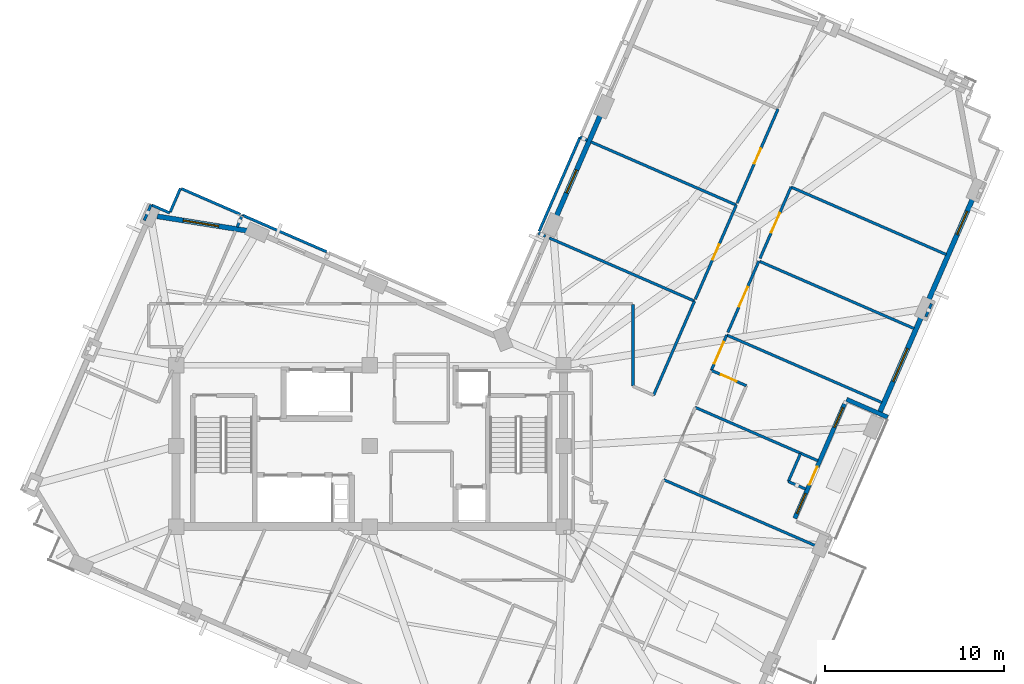
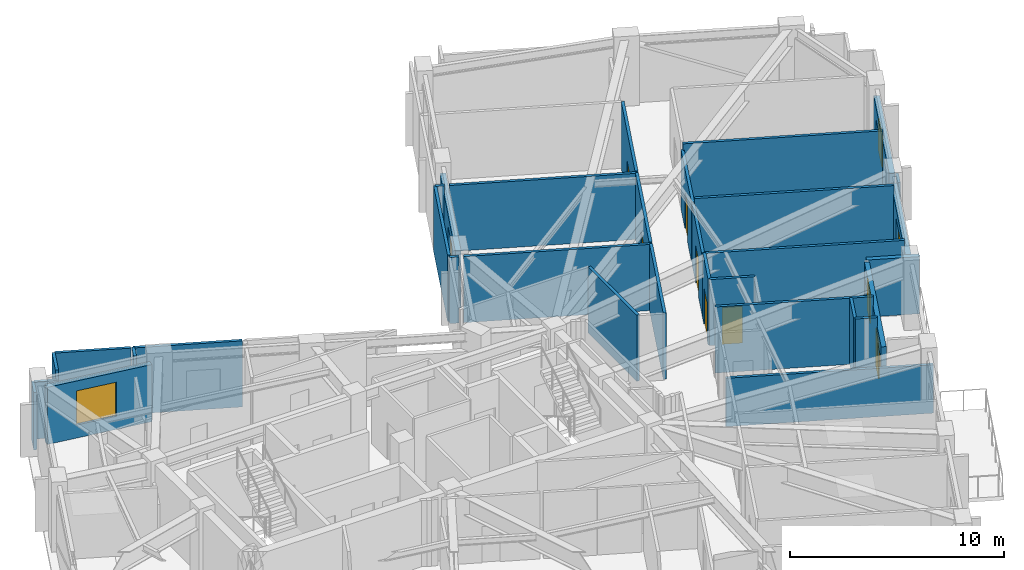
# One storey, part 7 of 11: 33 walls, 7 doors, 6 windows, 13 openings.
"""IFC4 building model written with IfcOpenShell, lengths in metres."""

import ifcopenshell
import ifcopenshell.guid

model = None  # the IFC model being written
_history = None  # IfcOwnerHistory: only IFC2X3 demands one
_inside = {}  # id of a spatial element -> (the spatial element, [elements in it])
_under = {}  # id of a project, library or spatial element -> (it, [spatial elements below it])
_declared = {}  # id of a project -> (the project, [libraries it declares])
_typed = {}  # id of a type object -> (the type object, [elements of that type])
_made_of = {}  # id of a material, layer set ... -> (it, [elements and type objects made of it])


def new_model(schema):
    """Start an empty IFC model of exactly this schema.

    Asked for "IFC4X3", IfcOpenShell would pick the latest addendum, in which some entities
    have other attributes; the version numbers below select the first issue.
    IFC2X3 requires an IfcOwnerHistory on every rooted entity: one is made here for all.
    """
    global model, _history
    if schema == "IFC4X3":
        model = ifcopenshell.file(schema_version=(4, 3, 0, 0))
    else:
        model = ifcopenshell.file(schema=schema)
    _inside.clear()
    _under.clear()
    _declared.clear()
    _typed.clear()
    _made_of.clear()
    _history = None
    if model.schema == "IFC2X3":
        org = make("IfcOrganization", Name="unknown")
        user = make(
            "IfcPersonAndOrganization",
            ThePerson=make("IfcPerson", FamilyName="unknown"),
            TheOrganization=org,
        )
        app = make(
            "IfcApplication",
            ApplicationDeveloper=org,
            Version="unknown",
            ApplicationFullName="unknown",
            ApplicationIdentifier="unknown",
        )
        _history = make(
            "IfcOwnerHistory",
            OwningUser=user,
            OwningApplication=app,
            ChangeAction="ADDED",
            CreationDate=0,
        )
    return model


def make(cls, **values):
    """One entity of the class cls with the attributes given. An attribute that is None is left unset."""
    return model.create_entity(
        cls, **{name: value for name, value in values.items() if value is not None}
    )


def rooted(cls, **values):
    """An entity with a GlobalId (a new one), such as an element, a storey or a relation."""
    return make(cls, GlobalId=ifcopenshell.guid.new(), OwnerHistory=_history, **values)


def si_unit(unit_type, name, prefix=None):
    """IfcSIUnit, for example si_unit("LENGTHUNIT", "METRE", prefix="MILLI")."""
    return make("IfcSIUnit", UnitType=unit_type, Prefix=prefix, Name=name)


def assignment(units):
    """IfcUnitAssignment: the units of a project."""
    return None if units is None else make("IfcUnitAssignment", Units=units)


def point(xyz):
    """IfcCartesianPoint."""
    return None if xyz is None else make("IfcCartesianPoint", Coordinates=xyz)


def direction(xyz):
    """IfcDirection."""
    return None if xyz is None else make("IfcDirection", DirectionRatios=xyz)


def frame(location, z_axis=None, x_axis=None):
    """IfcAxis2Placement3D, a coordinate frame: its origin and axes. An axis left out is left unset."""
    return make(
        "IfcAxis2Placement3D",
        Location=point(location),
        Axis=direction(z_axis),
        RefDirection=direction(x_axis),
    )


def frame_2d(location, x_axis=None):
    """IfcAxis2Placement2D, a coordinate frame in the plane: its origin and x axis."""
    return make(
        "IfcAxis2Placement2D", Location=point(location), RefDirection=direction(x_axis)
    )


def origin():
    """The frame at (0, 0, 0) with its axes left unset."""
    return frame((0.0, 0.0, 0.0))


def place(relative_to, where):
    """IfcLocalPlacement: puts the frame where relative to a parent placement (None: the world)."""
    return make(
        "IfcLocalPlacement", PlacementRelTo=relative_to, RelativePlacement=where
    )


def context(
    kind, dimensions, precision=None, world=None, true_north=None, identifier=None
):
    """IfcGeometricRepresentationContext, for example the 3D "Model" context."""
    return make(
        "IfcGeometricRepresentationContext",
        ContextIdentifier=identifier,
        ContextType=kind,
        CoordinateSpaceDimension=dimensions,
        Precision=precision,
        WorldCoordinateSystem=world,
        TrueNorth=true_north,
    )


def subcontext(parent, identifier, kind, view, scale=None):
    """IfcGeometricRepresentationSubContext, for example "Body" below "Model"."""
    return make(
        "IfcGeometricRepresentationSubContext",
        ContextIdentifier=identifier,
        ContextType=kind,
        ParentContext=parent,
        TargetScale=scale,
        TargetView=view,
    )


def project(units=None, contexts=None):
    """IfcProject with its units and contexts."""
    return rooted(
        "IfcProject",
        Name="project",
        RepresentationContexts=contexts,
        UnitsInContext=assignment(units),
    )


def spatial(cls, under=None, at=None, **own):
    """A site, building, storey or space (cls), placed at a placement, below another one or the project."""
    s = rooted(cls, ObjectPlacement=at, **own)
    if under is not None:
        _under.setdefault(under.id(), (under, []))[1].append(s)
    return s


def profile(cls, at=None, kind="AREA", **sizes):
    """A parametric profile (cls). Its sizes go by their IFC names, for example OverallWidth=200.0."""
    return make(cls, ProfileType=kind, Position=at, **sizes)


def rectangle(**sizes):
    """IfcRectangleProfileDef."""
    return profile("IfcRectangleProfileDef", **sizes)


def extrude(swept, where, along, depth):
    """IfcExtrudedAreaSolid: the profile swept, set in the frame where, extruded along a direction by depth."""
    return make(
        "IfcExtrudedAreaSolid",
        SweptArea=swept,
        Position=where,
        ExtrudedDirection=direction(along),
        Depth=depth,
    )


def shape(context_of_items, identifier, shape_type, items):
    """IfcShapeRepresentation: the items that make up one representation, for example the "Body"."""
    return make(
        "IfcShapeRepresentation",
        ContextOfItems=context_of_items,
        RepresentationIdentifier=identifier,
        RepresentationType=shape_type,
        Items=items,
    )


def material(Name=None, Category=None):
    """IfcMaterial."""
    return make("IfcMaterial", Name=Name, Category=Category)


def layer(
    of_material, thickness, ventilated=None, Name=None, Category=None, Priority=None
):
    """IfcMaterialLayer: one layer of a wall or slab, of a material (None: an air gap)."""
    return make(
        "IfcMaterialLayer",
        Material=of_material,
        LayerThickness=thickness,
        IsVentilated=ventilated,
        Name=Name,
        Category=Category,
        Priority=Priority,
    )


def layer_set(layers, Name=None):
    """IfcMaterialLayerSet."""
    return make("IfcMaterialLayerSet", MaterialLayers=layers, LayerSetName=Name)


def made_of(thing, what):
    """Note that an element or type object is made of a material, layer set ...; save() writes the relation."""
    if what is not None:
        _made_of.setdefault(what.id(), (what, []))[1].append(thing)
    return thing


def type_object(cls, material=None, **own):
    """A type object (cls), such as IfcWallType, which elements share."""
    return made_of(rooted(cls, **own), material)


def element(
    cls,
    number,
    at=None,
    inside=None,
    cuts=None,
    type_object=None,
    material=None,
    context=None,
    identifier="Body",
    shape_type=None,
    held_by="IfcProductDefinitionShape",
    body=None,
    shapes=None,
    **own,
):
    """One element of the class cls, such as IfcWall. Its Tag is "e" and its number.

    at: its placement. inside: the storey or other place that contains it. cuts: it is an
    opening in that element (IfcRelVoidsElement). A single representation is given by context,
    identifier, shape_type and body (its items); several are given by shapes. held_by: the class
    of the entity that holds the representations. save() writes the other relations.
    """
    e = rooted(cls, Tag="e%d" % number, ObjectPlacement=at, **own)
    if body is not None:
        shapes = [shape(context, identifier, shape_type, body)]
    if shapes is not None:
        e.Representation = make(held_by, Representations=shapes)
    if inside is not None:
        _inside.setdefault(inside.id(), (inside, []))[1].append(e)
    if cuts is not None:
        rooted(
            "IfcRelVoidsElement", RelatingBuildingElement=cuts, RelatedOpeningElement=e
        )
    if type_object is not None:
        _typed.setdefault(type_object.id(), (type_object, []))[1].append(e)
    return made_of(e, material)


def fill(opening, filler):
    """IfcRelFillsElement: the door or window that sits in an opening."""
    return rooted(
        "IfcRelFillsElement",
        RelatingOpeningElement=opening,
        RelatedBuildingElement=filler,
    )


def aggregate(whole, parts):
    """IfcRelAggregates: a whole, such as a stair, and the parts it consists of."""
    return rooted("IfcRelAggregates", RelatingObject=whole, RelatedObjects=parts)


def save(model, path):
    """Write the relations noted so far, then the file.

    IfcRelAggregates (storeys below a building ...), IfcRelContainedInSpatialStructure (elements
    in a storey), IfcRelDefinesByType, IfcRelAssociatesMaterial and IfcRelDeclares: one each for
    every whole, place, type object, material and project.
    """
    for whole, parts in _under.values():
        aggregate(whole, parts)
    for where, things in _inside.values():
        rooted(
            "IfcRelContainedInSpatialStructure",
            RelatedElements=things,
            RelatingStructure=where,
        )
    for kind, things in _typed.values():
        rooted("IfcRelDefinesByType", RelatedObjects=things, RelatingType=kind)
    for what, things in _made_of.values():
        rooted("IfcRelAssociatesMaterial", RelatedObjects=things, RelatingMaterial=what)
    for by, libraries in _declared.values():
        rooted("IfcRelDeclares", RelatingContext=by, RelatedDefinitions=libraries)
    model.write(path)


model = new_model("IFC4")

# Units and contexts
model_context = context("Model", 3, precision=1e-05, world=origin(), true_north=direction((0.0, 1.0)))
body_context = subcontext(model_context, "Body", "Model", "MODEL_VIEW")
ifc_project = project(units=[si_unit("LENGTHUNIT", "METRE"), si_unit("AREAUNIT", "SQUARE_METRE"), si_unit("VOLUMEUNIT", "CUBIC_METRE"), si_unit("PLANEANGLEUNIT", "RADIAN"), si_unit("MASSUNIT", "GRAM", prefix="KILO")], contexts=[model_context])

# Site, building, storey
site_placement = place(None, origin())
site = spatial("IfcSite", under=ifc_project, at=site_placement, CompositionType="ELEMENT")
building_placement = place(site_placement, origin())
building = spatial("IfcBuilding", under=site, at=building_placement, Name="Gaonmaruhae Medical Tower", CompositionType="ELEMENT")
storey_placement = place(building_placement, frame((0.0, 0.0, 324.60009765625)))
storey = spatial("IfcBuildingStorey", under=building, at=storey_placement, Name="L78", CompositionType="ELEMENT", Elevation=324.60009765625)

# Wall, openings, door, windows
ifc_material_1 = material(Name="Precast concrete C45/55", Category="concrete")
ifc_layer_1 = layer(ifc_material_1, 0.239990234375)
ifc_layer_set_1 = layer_set([ifc_layer_1], Name="Precast concrete C45/55")
wall_type_1 = type_object("IfcWallType", Name="EW-240 Ribbon & Shelter Insulated Precast Wall", PredefinedType="SOLIDWALL", material=ifc_layer_set_1)
wall_1_placement = place(storey_placement, frame((51.277587890625, 14.64697265625, 0.0), z_axis=(0.0, 0.0, 1.0), x_axis=(-0.398727394062, -0.917069498579, 0.0)))
wall_1 = element("IfcWall", 1, at=wall_1_placement, inside=storey, type_object=wall_type_1, Name="L78 Recessed Terrace Enclosure Wall TERB", PredefinedType="SOLIDWALL", context=body_context, shape_type="SweptSolid", body=[
    extrude(rectangle(XDim=6.9599609375, YDim=0.239990234375, at=frame_2d((3.47998046875, 0.0))), origin(), (0.0, 0.0, 1.0), 3.264892578125),
])
opening_1_placement = place(wall_1_placement, frame((3.819580078125, 0.0, 0.0)))
opening_1 = element("IfcOpeningElement", 2, at=opening_1_placement, cuts=wall_1, Name="Opening TD-01", PredefinedType="OPENING", context=body_context, shape_type="SweptSolid", body=[
    extrude(rectangle(XDim=1.10009765625, YDim=2.14990234375, at=frame_2d((0.550048828125, 1.074951171875))), frame((0.0, 0.1298828125, 0.0), z_axis=(0.0, -1.0, 0.0), x_axis=(1.0, 0.0, 0.0)), (0.0, 0.0, 1.0), 0.260009765625),
])
opening_2_placement = place(wall_1_placement, frame((5.454833984375, 0.0, 0.75)))
opening_2 = element("IfcOpeningElement", 3, at=opening_2_placement, cuts=wall_1, Name="Opening WN-05", PredefinedType="OPENING", context=body_context, shape_type="SweptSolid", body=[
    extrude(rectangle(XDim=1.199951171875, YDim=1.75, at=frame_2d((0.60009765625, 0.875))), frame((0.0, 0.1298828125, 0.0), z_axis=(0.0, -1.0, 0.0), x_axis=(1.0, 0.0, 0.0)), (0.0, 0.0, 1.0), 0.260009765625),
])
opening_3_placement = place(wall_1_placement, frame((0.219970703125, 0.0, 0.75)))
opening_3 = element("IfcOpeningElement", 4, at=opening_3_placement, cuts=wall_1, Name="Opening WN-05", PredefinedType="OPENING", context=body_context, shape_type="SweptSolid", body=[
    extrude(rectangle(XDim=1.199951171875, YDim=1.75, at=frame_2d((0.60009765625, 0.875))), frame((0.0, 0.1298828125, 0.0), z_axis=(0.0, -1.0, 0.0), x_axis=(1.0, 0.0, 0.0)), (0.0, 0.0, 1.0), 0.260009765625),
])
ifc_material_2 = material(Name="Anodised aluminium and toughened safety glass", Category="aluminium")
door_type_1 = type_object("IfcDoorType", Name="TD-01 Terrace & Sky Garden Glazed Door 1100x2150", OperationType="NOTDEFINED", PredefinedType="DOOR", material=ifc_material_2)
door_1_placement = place(opening_1_placement, origin())
door_1 = element("IfcDoor", 5, at=door_1_placement, inside=storey, type_object=door_type_1, Name="L78 Outdoor Terrace Access Door SLB-L78-TER", OperationType="SINGLE_SWING_LEFT", OverallHeight=2.14990234375, OverallWidth=1.10009765625, PredefinedType="DOOR", context=body_context, shape_type="SweptSolid", body=[
    extrude(rectangle(XDim=1.10009765625, YDim=2.14990234375, at=frame_2d((0.550048828125, 1.074951171875))), frame((0.0, 0.02490234375, 0.0), z_axis=(0.0, -1.0, 0.0), x_axis=(1.0, 0.0, 0.0)), (0.0, 0.0, 1.0), 0.050048828125),
])
fill(opening_1, door_1)
ifc_material_3 = material(Name="Anodised aluminium and Low-E double glazing", Category="aluminium")
window_type_1 = type_object("IfcWindowType", Name="WN-05 Support & Staff Punched Window 1200x1750", PartitioningType="SINGLE_PANEL", PredefinedType="WINDOW", material=ifc_material_3)
window_1_placement = place(opening_2_placement, origin())
window_1 = element("IfcWindow", 6, at=window_1_placement, inside=storey, type_object=window_type_1, Name="L78 Patient Bedroom Window L78-BR02", OverallHeight=1.75, OverallWidth=1.199951171875, PartitioningType="SINGLE_PANEL", PredefinedType="WINDOW", context=body_context, shape_type="SweptSolid", body=[
    extrude(rectangle(XDim=1.199951171875, YDim=1.75, at=frame_2d((0.60009765625, 0.875))), frame((0.0, 0.030029296875, 0.0), z_axis=(0.0, -1.0, 0.0), x_axis=(1.0, 0.0, 0.0)), (0.0, 0.0, 1.0), 0.06005859375),
])
fill(opening_2, window_1)
window_2_placement = place(opening_3_placement, origin())
window_2 = element("IfcWindow", 7, at=window_2_placement, inside=storey, type_object=window_type_1, Name="L78 Patient Bedroom Window L78-BR03", OverallHeight=1.75, OverallWidth=1.199951171875, PartitioningType="SINGLE_PANEL", PredefinedType="WINDOW", context=body_context, shape_type="SweptSolid", body=[
    extrude(rectangle(XDim=1.199951171875, YDim=1.75, at=frame_2d((0.60009765625, 0.875))), frame((0.0, 0.030029296875, 0.0), z_axis=(0.0, -1.0, 0.0), x_axis=(1.0, 0.0, 0.0)), (0.0, 0.0, 1.0), 0.06005859375),
])
fill(opening_3, window_2)

# Wall
wall_2_placement = place(storey_placement, frame((53.681884765625, 13.906982421875, 0.0), z_axis=(0.0, 0.0, 1.0), x_axis=(-0.917056081644, 0.398758251475, 0.0)))
element("IfcWall", 8, at=wall_2_placement, inside=storey, type_object=wall_type_1, Name="L78 Recessed Terrace Enclosure Wall TERR", PredefinedType="SOLIDWALL", context=body_context, shape_type="SweptSolid", body=[
    extrude(rectangle(XDim=2.499755859375, YDim=0.239990234375, at=frame_2d((1.25, 0.0))), origin(), (0.0, 0.0, 1.0), 3.264892578125),
])

# Wall, opening, window
ifc_layer_2 = layer(ifc_material_1, 0.280029296875)
ifc_layer_set_2 = layer_set([ifc_layer_2], Name="Precast concrete C45/55")
wall_type_2 = type_object("IfcWallType", Name="EW-280 Upper Precast Masonry-Frame Facade Wall", PredefinedType="SOLIDWALL", material=ifc_layer_set_2)
wall_3_placement = place(storey_placement, frame((55.6005859375, 19.598388671875, 0.0), z_axis=(0.0, 0.0, 1.0), x_axis=(-0.398765026274, -0.917053135767, 0.0)))
wall_3 = element("IfcWall", 9, at=wall_3_placement, inside=storey, type_object=wall_type_2, Name="L78 Precast Masonry-Frame Wall S04-S05", PredefinedType="SOLIDWALL", context=body_context, shape_type="SweptSolid", body=[
    extrude(rectangle(XDim=5.96435546875, YDim=0.280029296875, at=frame_2d((2.982177734375, 0.0))), origin(), (0.0, 0.0, 1.0), 3.264892578125),
])
opening_4_placement = place(wall_3_placement, frame((2.032470703125, 0.0, 0.75)))
opening_4 = element("IfcOpeningElement", 10, at=opening_4_placement, cuts=wall_3, Name="Opening WN-02", PredefinedType="OPENING", context=body_context, shape_type="SweptSolid", body=[
    extrude(rectangle(XDim=2.0, YDim=1.949951171875, at=frame_2d((1.0, 0.97509765625))), frame((0.0, 0.14990234375, 0.0), z_axis=(0.0, -1.0, 0.0), x_axis=(1.0, 0.0, 0.0)), (0.0, 0.0, 1.0), 0.300048828125),
])
window_type_2 = type_object("IfcWindowType", Name="WN-02 Double-Bed Ward Punched Window 2000x1950", PartitioningType="SINGLE_PANEL", PredefinedType="WINDOW", material=ifc_material_3)
window_3_placement = place(opening_4_placement, origin())
window_3 = element("IfcWindow", 11, at=window_3_placement, inside=storey, type_object=window_type_2, Name="L78 Modular Facade Window S04", OverallHeight=1.949951171875, OverallWidth=2.0, PartitioningType="SINGLE_PANEL", PredefinedType="WINDOW", context=body_context, shape_type="SweptSolid", body=[
    extrude(rectangle(XDim=2.0, YDim=1.949951171875, at=frame_2d((1.0, 0.97509765625))), frame((0.0, 0.030029296875, 0.0), z_axis=(0.0, -1.0, 0.0), x_axis=(1.0, 0.0, 0.0)), (0.0, 0.0, 1.0), 0.06005859375),
])
fill(opening_4, window_3)

wall_4_placement = place(storey_placement, frame((58.4716796875, 26.201171875, 0.0), z_axis=(0.0, 0.0, 1.0), x_axis=(-0.398776286617, -0.917048239316, 0.0)))
wall_4 = element("IfcWall", 12, at=wall_4_placement, inside=storey, type_object=wall_type_2, Name="L78 Precast Masonry-Frame Wall S05-S06", PredefinedType="SOLIDWALL", context=body_context, shape_type="SweptSolid", body=[
    extrude(rectangle(XDim=6.405029296875, YDim=0.280029296875, at=frame_2d((3.20263671875, 0.0))), origin(), (0.0, 0.0, 1.0), 3.264892578125),
])
opening_5_placement = place(wall_4_placement, frame((0.896240234375, 0.0, 0.75)))
opening_5 = element("IfcOpeningElement", 13, at=opening_5_placement, cuts=wall_4, Name="Opening WN-03", PredefinedType="OPENING", context=body_context, shape_type="SweptSolid", body=[
    extrude(rectangle(XDim=1.39990234375, YDim=1.85009765625, at=frame_2d((0.699951171875, 0.925048828125))), frame((0.0, 0.14990234375, 0.0), z_axis=(0.0, -1.0, 0.0), x_axis=(1.0, 0.0, 0.0)), (0.0, 0.0, 1.0), 0.300048828125),
])
window_type_3 = type_object("IfcWindowType", Name="WN-03 Isolation Ward Punched Window 1400x1850", PartitioningType="SINGLE_PANEL", PredefinedType="WINDOW", material=ifc_material_3)
window_4_placement = place(opening_5_placement, origin())
window_4 = element("IfcWindow", 14, at=window_4_placement, inside=storey, type_object=window_type_3, Name="L78 Modular Facade Window S05", OverallHeight=1.85009765625, OverallWidth=1.39990234375, PartitioningType="SINGLE_PANEL", PredefinedType="WINDOW", context=body_context, shape_type="SweptSolid", body=[
    extrude(rectangle(XDim=1.39990234375, YDim=1.85009765625, at=frame_2d((0.699951171875, 0.925048828125))), frame((0.0, 0.030029296875, 0.0), z_axis=(0.0, -1.0, 0.0), x_axis=(1.0, 0.0, 0.0)), (0.0, 0.0, 1.0), 0.06005859375),
])
fill(opening_5, window_4)

wall_5_placement = place(storey_placement, frame((35.156005859375, 24.9931640625, 0.0), z_axis=(0.0, 0.0, 1.0), x_axis=(0.398758169539, 0.917056117272, 0.0)))
wall_5 = element("IfcWall", 15, at=wall_5_placement, inside=storey, type_object=wall_type_2, Name="L78 Precast Masonry-Frame Wall EN01-EN02", PredefinedType="SOLIDWALL", context=body_context, shape_type="SweptSolid", body=[
    extrude(rectangle(XDim=6.40478515625, YDim=0.280029296875, at=frame_2d((3.202392578125, 0.0))), origin(), (0.0, 0.0, 1.0), 3.264892578125),
])
opening_6_placement = place(wall_5_placement, frame((1.546875, 0.0, 0.75)))
opening_6 = element("IfcOpeningElement", 16, at=opening_6_placement, cuts=wall_5, Name="Opening WN-03", PredefinedType="OPENING", context=body_context, shape_type="SweptSolid", body=[
    extrude(rectangle(XDim=1.39990234375, YDim=1.85009765625, at=frame_2d((0.699951171875, 0.925048828125))), frame((0.0, 0.14990234375, 0.0), z_axis=(0.0, -1.0, 0.0), x_axis=(1.0, 0.0, 0.0)), (0.0, 0.0, 1.0), 0.300048828125),
])
window_5_placement = place(opening_6_placement, origin())
window_5 = element("IfcWindow", 17, at=window_5_placement, inside=storey, type_object=window_type_3, Name="L78 Modular Facade Window EN01", OverallHeight=1.85009765625, OverallWidth=1.39990234375, PartitioningType="SINGLE_PANEL", PredefinedType="WINDOW", context=body_context, shape_type="SweptSolid", body=[
    extrude(rectangle(XDim=1.39990234375, YDim=1.85009765625, at=frame_2d((0.699951171875, 0.925048828125))), frame((0.0, 0.030029296875, 0.0), z_axis=(0.0, -1.0, 0.0), x_axis=(1.0, 0.0, 0.0)), (0.0, 0.0, 1.0), 0.06005859375),
])
fill(opening_6, window_5)

wall_6_placement = place(storey_placement, frame((12.94580078125, 25.1103515625, 0.0), z_axis=(0.0, 0.0, 1.0), x_axis=(0.987363821305, -0.158469821666, 0.0)))
wall_6 = element("IfcWall", 18, at=wall_6_placement, inside=storey, type_object=wall_type_2, Name="L78 Precast Masonry-Frame Wall NE02-N01", PredefinedType="SOLIDWALL", context=body_context, shape_type="SweptSolid", body=[
    extrude(rectangle(XDim=5.244140625, YDim=0.280029296875, at=frame_2d((2.6220703125, 0.0))), origin(), (0.0, 0.0, 1.0), 3.264892578125),
])
opening_7_placement = place(wall_6_placement, frame((1.4619140625, 0.0, 0.75)))
opening_7 = element("IfcOpeningElement", 19, at=opening_7_placement, cuts=wall_6, Name="Opening WN-02", PredefinedType="OPENING", context=body_context, shape_type="SweptSolid", body=[
    extrude(rectangle(XDim=2.0, YDim=1.949951171875, at=frame_2d((1.0, 0.97509765625))), frame((0.0, 0.14990234375, 0.0), z_axis=(0.0, -1.0, 0.0), x_axis=(1.0, 0.0, 0.0)), (0.0, 0.0, 1.0), 0.300048828125),
])
window_6_placement = place(opening_7_placement, origin())
window_6 = element("IfcWindow", 20, at=window_6_placement, inside=storey, type_object=window_type_2, Name="L78 Modular Facade Window NE02", OverallHeight=1.949951171875, OverallWidth=2.0, PartitioningType="SINGLE_PANEL", PredefinedType="WINDOW", context=body_context, shape_type="SweptSolid", body=[
    extrude(rectangle(XDim=2.0, YDim=1.949951171875, at=frame_2d((1.0, 0.97509765625))), frame((0.0, 0.030029296875, 0.0), z_axis=(0.0, -1.0, 0.0), x_axis=(1.0, 0.0, 0.0)), (0.0, 0.0, 1.0), 0.06005859375),
])
fill(opening_7, window_6)

# Walls
ifc_material_4 = material(Name="Gypsum board partition", Category="gypsum")
ifc_layer_3 = layer(ifc_material_4, 0.14990234375)
ifc_layer_set_3 = layer_set([ifc_layer_3], Name="Gypsum board partition")
wall_type_3 = type_object("IfcWallType", Name="PW-150 Rated Clinical Corridor Partition", PredefinedType="PARTITIONING", material=ifc_layer_set_3)
wall_7_placement = place(storey_placement, frame((41.195068359375, 10.4189453125, 0.0), z_axis=(0.0, 0.0, 1.0), x_axis=(0.917057356127, -0.398755320434, 0.0)))
element("IfcWall", 21, at=wall_7_placement, inside=storey, type_object=wall_type_3, Name="L78 Interior Partition L78-SUP03-24", PredefinedType="PARTITIONING", context=body_context, shape_type="SweptSolid", body=[
    extrude(rectangle(XDim=9.7802734375, YDim=0.14990234375, at=frame_2d((4.89013671875, 0.0))), origin(), (0.0, 0.0, 1.0), 2.764892578125),
])
wall_8_placement = place(storey_placement, frame((42.949951171875, 14.4541015625, 0.0), z_axis=(0.0, 0.0, 1.0), x_axis=(0.917043017742, -0.398788294224, 0.0)))
element("IfcWall", 22, at=wall_8_placement, inside=storey, type_object=wall_type_3, Name="L78 Interior Partition L78-BR02-28", PredefinedType="PARTITIONING", context=body_context, shape_type="SweptSolid", body=[
    extrude(rectangle(XDim=7.46533203125, YDim=0.14990234375, at=frame_2d((3.732666015625, 0.0))), origin(), (0.0, 0.0, 1.0), 3.77978515625),
])
wall_9_placement = place(storey_placement, frame((48.820068359375, 11.8779296875, 0.0), z_axis=(0.0, 0.0, 1.0), x_axis=(-0.398836393262, -0.917022099739, 0.0)))
element("IfcWall", 23, at=wall_9_placement, inside=storey, type_object=wall_type_3, Name="L78 Interior Partition L78-BR02-29", PredefinedType="PARTITIONING", context=body_context, shape_type="SweptSolid", body=[
    extrude(rectangle(XDim=1.699951171875, YDim=0.14990234375, at=frame_2d((0.85009765625, 0.0))), origin(), (0.0, 0.0, 1.0), 3.77978515625),
])
wall_10_placement = place(storey_placement, frame((48.14208984375, 10.319091796875, 0.0), z_axis=(0.0, 0.0, 1.0), x_axis=(0.916793786887, -0.399360929894, 0.0)))
element("IfcWall", 24, at=wall_10_placement, inside=storey, type_object=wall_type_3, Name="L78 Interior Partition L78-BR02-30", PredefinedType="PARTITIONING", context=body_context, shape_type="SweptSolid", body=[
    extrude(rectangle(XDim=1.054443359375, YDim=0.14990234375, at=frame_2d((0.52734375, 0.0))), origin(), (0.0, 0.0, 1.0), 3.77978515625),
])

# Wall, opening, door
wall_11_placement = place(storey_placement, frame((45.802001953125, 15.660888671875, 0.0), z_axis=(0.0, 0.0, 1.0), x_axis=(-0.916010257987, 0.401154842003, 0.0)))
wall_11 = element("IfcWall", 25, at=wall_11_placement, inside=storey, type_object=wall_type_3, Name="L78 Interior Partition L78-BR03-35", PredefinedType="PARTITIONING", context=body_context, shape_type="SweptSolid", body=[
    extrude(rectangle(XDim=2.13427734375, YDim=0.14990234375, at=frame_2d((1.067138671875, 0.0))), origin(), (0.0, 0.0, 1.0), 3.77978515625),
])
opening_8_placement = place(wall_11_placement, frame((0.592041015625, 0.0, 0.0)))
opening_8 = element("IfcOpeningElement", 26, at=opening_8_placement, cuts=wall_11, Name="Opening ED-01", PredefinedType="OPENING", context=body_context, shape_type="SweptSolid", body=[
    extrude(rectangle(XDim=0.949951171875, YDim=2.10009765625, at=frame_2d((0.47509765625, 1.050048828125))), frame((0.0, 0.0849609375, 0.0), z_axis=(0.0, -1.0, 0.0), x_axis=(1.0, 0.0, 0.0)), (0.0, 0.0, 1.0), 0.169921875),
])
ifc_material_5 = material(Name="Moisture-resistant HPL hospital door", Category="wood")
door_type_2 = type_object("IfcDoorType", Name="ED-01 Patient En-Suite Bathroom Door 950x2100", OperationType="NOTDEFINED", PredefinedType="DOOR", material=ifc_material_5)
door_2_placement = place(opening_8_placement, origin())
door_2 = element("IfcDoor", 27, at=door_2_placement, inside=storey, type_object=door_type_2, Name="L78 Patient En-Suite Bathroom Door", OperationType="SINGLE_SWING_LEFT", OverallHeight=2.10009765625, OverallWidth=0.949951171875, PredefinedType="DOOR", context=body_context, shape_type="SweptSolid", body=[
    extrude(rectangle(XDim=0.949951171875, YDim=2.10009765625, at=frame_2d((0.47509765625, 1.050048828125))), frame((0.0, 0.02490234375, 0.0), z_axis=(0.0, -1.0, 0.0), x_axis=(1.0, 0.0, 0.0)), (0.0, 0.0, 1.0), 0.050048828125),
])
fill(opening_8, door_2)

wall_12_placement = place(storey_placement, frame((43.846923828125, 16.51708984375, 0.0), z_axis=(0.0, 0.0, 1.0), x_axis=(0.398655528378, 0.917100741301, 0.0)))
wall_12 = element("IfcWall", 28, at=wall_12_placement, inside=storey, type_object=wall_type_3, Name="L78 Interior Partition L78-BR03-36", PredefinedType="PARTITIONING", context=body_context, shape_type="SweptSolid", body=[
    extrude(rectangle(XDim=2.150146484375, YDim=0.14990234375, at=frame_2d((1.0751953125, 0.0))), origin(), (0.0, 0.0, 1.0), 3.77978515625),
])
opening_9_placement = place(wall_12_placement, frame((0.425048828125, 0.0, 0.0)))
opening_9 = element("IfcOpeningElement", 29, at=opening_9_placement, cuts=wall_12, Name="Opening WD-02", PredefinedType="OPENING", context=body_context, shape_type="SweptSolid", body=[
    extrude(rectangle(XDim=1.300048828125, YDim=2.14990234375, at=frame_2d((0.64990234375, 1.074951171875))), frame((0.0, 0.0849609375, 0.0), z_axis=(0.0, -1.0, 0.0), x_axis=(1.0, 0.0, 0.0)), (0.0, 0.0, 1.0), 0.169921875),
])
ifc_material_6 = material(Name="Antimicrobial laminate timber fire door", Category="wood")
door_type_3 = type_object("IfcDoorType", Name="WD-02 Isolation & ICU Patient Room Door 1300x2150", OperationType="NOTDEFINED", PredefinedType="DOOR", material=ifc_material_6)
door_3_placement = place(opening_9_placement, origin())
door_3 = element("IfcDoor", 30, at=door_3_placement, inside=storey, type_object=door_type_3, Name="L78 Single Isolation Patient Bedroom Door", OperationType="SINGLE_SWING_RIGHT", OverallHeight=2.14990234375, OverallWidth=1.300048828125, PredefinedType="DOOR", context=body_context, shape_type="SweptSolid", body=[
    extrude(rectangle(XDim=1.300048828125, YDim=2.14990234375, at=frame_2d((0.64990234375, 1.074951171875))), frame((0.0, 0.02490234375, 0.0), z_axis=(0.0, -1.0, 0.0), x_axis=(1.0, 0.0, 0.0)), (0.0, 0.0, 1.0), 0.050048828125),
])
fill(opening_9, door_3)

# Wall
wall_13_placement = place(storey_placement, frame((44.7041015625, 18.489013671875, 0.0), z_axis=(0.0, 0.0, 1.0), x_axis=(0.917075404025, -0.398713811315, 0.0)))
element("IfcWall", 31, at=wall_13_placement, inside=storey, type_object=wall_type_3, Name="L78 Interior Partition L78-BR03-37", PredefinedType="PARTITIONING", context=body_context, shape_type="SweptSolid", body=[
    extrude(rectangle(XDim=9.435302734375, YDim=0.14990234375, at=frame_2d((4.7177734375, 0.0))), origin(), (0.0, 0.0, 1.0), 3.77978515625),
])

# Wall, opening, door
wall_14_placement = place(storey_placement, frame((44.76806640625, 18.635009765625, 0.0), z_axis=(0.0, 0.0, 1.0), x_axis=(0.398828954963, 0.91702533481, 0.0)))
wall_14 = element("IfcWall", 32, at=wall_14_placement, inside=storey, type_object=wall_type_3, Name="L78 Interior Partition L78-SUP04-39", PredefinedType="PARTITIONING", context=body_context, shape_type="SweptSolid", body=[
    extrude(rectangle(XDim=4.340087890625, YDim=0.14990234375, at=frame_2d((2.169921875, 0.0))), origin(), (0.0, 0.0, 1.0), 3.414794921875),
])
opening_10_placement = place(wall_14_placement, frame((1.570068359375, 0.0, 0.0)))
opening_10 = element("IfcOpeningElement", 33, at=opening_10_placement, cuts=wall_14, Name="Opening CD-02", PredefinedType="OPENING", context=body_context, shape_type="SweptSolid", body=[
    extrude(rectangle(XDim=1.199951171875, YDim=2.14990234375, at=frame_2d((0.60009765625, 1.074951171875))), frame((0.0, 0.0849609375, 0.0), z_axis=(0.0, -1.0, 0.0), x_axis=(1.0, 0.0, 0.0)), (0.0, 0.0, 1.0), 0.169921875),
])
door_type_4 = type_object("IfcDoorType", Name="CD-02 Clinical Treatment & Procedure Door 1200x2150", OperationType="NOTDEFINED", PredefinedType="DOOR", material=ifc_material_6)
door_4_placement = place(opening_10_placement, origin())
door_4 = element("IfcDoor", 34, at=door_4_placement, inside=storey, type_object=door_type_4, Name="L78 Clinical Biomedical Charting Office Door", OperationType="SINGLE_SWING_RIGHT", OverallHeight=2.14990234375, OverallWidth=1.199951171875, PredefinedType="DOOR", context=body_context, shape_type="SweptSolid", body=[
    extrude(rectangle(XDim=1.199951171875, YDim=2.14990234375, at=frame_2d((0.60009765625, 1.074951171875))), frame((0.0, 0.02490234375, 0.0), z_axis=(0.0, -1.0, 0.0), x_axis=(1.0, 0.0, 0.0)), (0.0, 0.0, 1.0), 0.050048828125),
])
fill(opening_10, door_4)

# Wall
wall_15_placement = place(storey_placement, frame((46.544921875, 22.594970703125, 0.0), z_axis=(0.0, 0.0, 1.0), x_axis=(0.917099421132, -0.39865856539, 0.0)))
element("IfcWall", 35, at=wall_15_placement, inside=storey, type_object=wall_type_3, Name="L78 Interior Partition L78-SUP04-40", PredefinedType="PARTITIONING", context=body_context, shape_type="SweptSolid", body=[
    extrude(rectangle(XDim=9.3837890625, YDim=0.14990234375, at=frame_2d((4.69189453125, 0.0))), origin(), (0.0, 0.0, 1.0), 3.77978515625),
])

# Wall, opening, door
wall_16_placement = place(storey_placement, frame((46.56298828125, 22.761962890625, 0.0), z_axis=(0.0, 0.0, 1.0), x_axis=(0.398639711207, 0.917107616722, 0.0)))
wall_16 = element("IfcWall", 36, at=wall_16_placement, inside=storey, type_object=wall_type_3, Name="L78 Interior Partition L78-SUP05-41", PredefinedType="PARTITIONING", context=body_context, shape_type="SweptSolid", body=[
    extrude(rectangle(XDim=4.339599609375, YDim=0.14990234375, at=frame_2d((2.169921875, 0.0))), origin(), (0.0, 0.0, 1.0), 3.414794921875),
])
opening_11_placement = place(wall_16_placement, frame((1.56982421875, 0.0, 0.0)))
opening_11 = element("IfcOpeningElement", 37, at=opening_11_placement, cuts=wall_16, Name="Opening CD-02", PredefinedType="OPENING", context=body_context, shape_type="SweptSolid", body=[
    extrude(rectangle(XDim=1.199951171875, YDim=2.14990234375, at=frame_2d((0.60009765625, 1.074951171875))), frame((0.0, 0.0849609375, 0.0), z_axis=(0.0, -1.0, 0.0), x_axis=(1.0, 0.0, 0.0)), (0.0, 0.0, 1.0), 0.169921875),
])
door_5_placement = place(opening_11_placement, origin())
door_5 = element("IfcDoor", 38, at=door_5_placement, inside=storey, type_object=door_type_4, Name="L78 Clinical Biomedical Charting Office Door", OperationType="SINGLE_SWING_RIGHT", OverallHeight=2.14990234375, OverallWidth=1.199951171875, PredefinedType="DOOR", context=body_context, shape_type="SweptSolid", body=[
    extrude(rectangle(XDim=1.199951171875, YDim=2.14990234375, at=frame_2d((0.60009765625, 1.074951171875))), frame((0.0, 0.02490234375, 0.0), z_axis=(0.0, -1.0, 0.0), x_axis=(1.0, 0.0, 0.0)), (0.0, 0.0, 1.0), 0.050048828125),
])
fill(opening_11, door_5)

# Walls
wall_17_placement = place(storey_placement, frame((48.29296875, 26.741943359375, 0.0), z_axis=(0.0, 0.0, 1.0), x_axis=(0.917063062267, -0.398742197197, 0.0)))
element("IfcWall", 39, at=wall_17_placement, inside=storey, type_object=wall_type_3, Name="L78 Interior Partition L78-SUP05-42", PredefinedType="PARTITIONING", context=body_context, shape_type="SweptSolid", body=[
    extrude(rectangle(XDim=9.4345703125, YDim=0.14990234375, at=frame_2d((4.71728515625, 0.0))), origin(), (0.0, 0.0, 1.0), 3.77978515625),
])
wall_18_placement = place(storey_placement, frame((56.1279296875, 20.236083984375, 0.0), z_axis=(0.0, 0.0, 1.0), x_axis=(-0.398658726612, -0.91709935105, 0.0)))
element("IfcWall", 40, at=wall_18_placement, inside=storey, type_object=wall_type_3, Name="L78 Interior Partition L78-SUP05-43", PredefinedType="PARTITIONING", context=body_context, shape_type="SweptSolid", body=[
    extrude(rectangle(XDim=0.794921875, YDim=0.14990234375, at=frame_2d((0.3974609375, 0.0))), origin(), (0.0, 0.0, 1.0), 3.264892578125),
])
wall_19_placement = place(storey_placement, frame((34.197998046875, 24.1689453125, 0.0), z_axis=(0.0, 0.0, 1.0), x_axis=(0.917569282622, -0.397575919276, 0.0)))
element("IfcWall", 41, at=wall_19_placement, inside=storey, type_object=wall_type_3, Name="L78 Interior Partition L78-IE03-91", PredefinedType="PARTITIONING", context=body_context, shape_type="SweptSolid", body=[
    extrude(rectangle(XDim=0.434814453125, YDim=0.14990234375, at=frame_2d((0.21728515625, 0.0))), origin(), (0.0, 0.0, 1.0), 3.77978515625),
])
wall_20_placement = place(storey_placement, frame((34.80810546875, 23.904052734375, 0.0), z_axis=(0.0, 0.0, 1.0), x_axis=(0.917052481723, -0.398766530398, 0.0)))
element("IfcWall", 42, at=wall_20_placement, inside=storey, type_object=wall_type_3, Name="L78 Interior Partition L78-IE03-92", PredefinedType="PARTITIONING", context=body_context, shape_type="SweptSolid", body=[
    extrude(rectangle(XDim=8.834716796875, YDim=0.14990234375, at=frame_2d((4.41748046875, 0.0))), origin(), (0.0, 0.0, 1.0), 3.77978515625),
])
wall_21_placement = place(storey_placement, frame((42.909912109375, 20.381103515625, 0.0), z_axis=(0.0, 0.0, 1.0), x_axis=(-0.398677741034, -0.917091085337, 0.0)))
element("IfcWall", 43, at=wall_21_placement, inside=storey, type_object=wall_type_3, Name="L78 Interior Partition L78-IE03-93", PredefinedType="PARTITIONING", context=body_context, shape_type="SweptSolid", body=[
    extrude(rectangle(XDim=5.721435546875, YDim=0.14990234375, at=frame_2d((2.86083984375, 0.0))), origin(), (0.0, 0.0, 1.0), 3.77978515625),
])
wall_22_placement = place(storey_placement, frame((39.47998046875, 15.634033203125, 0.0), z_axis=(0.0, 0.0, 1.0), x_axis=(0.0, 1.0, 0.0)))
element("IfcWall", 44, at=wall_22_placement, inside=storey, type_object=wall_type_3, Name="L78 Interior Partition L78-IE03-95", PredefinedType="PARTITIONING", context=body_context, shape_type="SweptSolid", body=[
    extrude(rectangle(XDim=4.56884765625, YDim=0.14990234375, at=frame_2d((2.284423828125, 0.0))), origin(), (0.0, 0.0, 1.0), 3.77978515625),
])

# Wall, opening, door
wall_23_placement = place(storey_placement, frame((45.239013671875, 25.738037109375, 0.0), z_axis=(0.0, 0.0, 1.0), x_axis=(-0.398677741034, -0.917091085337, 0.0)))
wall_23 = element("IfcWall", 45, at=wall_23_placement, inside=storey, type_object=wall_type_3, Name="L78 Interior Partition L78-IE04-96", PredefinedType="PARTITIONING", context=body_context, shape_type="SweptSolid", body=[
    extrude(rectangle(XDim=5.721435546875, YDim=0.14990234375, at=frame_2d((2.86083984375, 0.0))), origin(), (0.0, 0.0, 1.0), 3.77978515625),
])
opening_12_placement = place(wall_23_placement, frame((2.400634765625, 0.0, 0.0)))
opening_12 = element("IfcOpeningElement", 46, at=opening_12_placement, cuts=wall_23, Name="Opening UD-01", PredefinedType="OPENING", context=body_context, shape_type="SweptSolid", body=[
    extrude(rectangle(XDim=0.919921875, YDim=2.10009765625, at=frame_2d((0.4599609375, 1.050048828125))), frame((0.0, 0.0849609375, 0.0), z_axis=(0.0, -1.0, 0.0), x_axis=(1.0, 0.0, 0.0)), (0.0, 0.0, 1.0), 0.169921875),
])
ifc_material_7 = material(Name="Powder-coated steel utility door", Category="steel")
door_type_5 = type_object("IfcDoorType", Name="UD-01 Toilet, Utility & Housekeeping Door 920x2100", OperationType="NOTDEFINED", PredefinedType="DOOR", material=ifc_material_7)
door_6_placement = place(opening_12_placement, origin())
door_6 = element("IfcDoor", 47, at=door_6_placement, inside=storey, type_object=door_type_5, Name="L78 Accessible Public Toilet Door", OperationType="SINGLE_SWING_LEFT", OverallHeight=2.10009765625, OverallWidth=0.919921875, PredefinedType="DOOR", context=body_context, shape_type="SweptSolid", body=[
    extrude(rectangle(XDim=0.919921875, YDim=2.10009765625, at=frame_2d((0.4599609375, 1.050048828125))), frame((0.0, 0.02490234375, 0.0), z_axis=(0.0, -1.0, 0.0), x_axis=(1.0, 0.0, 0.0)), (0.0, 0.0, 1.0), 0.050048828125),
])
fill(opening_12, door_6)

# Walls
wall_24_placement = place(storey_placement, frame((34.24609375, 24.279052734375, 0.0), z_axis=(0.0, 0.0, 1.0), x_axis=(0.398693343221, 0.917084302598, 0.0)))
element("IfcWall", 48, at=wall_24_placement, inside=storey, type_object=wall_type_3, Name="L78 Interior Partition L78-IE04-97", PredefinedType="PARTITIONING", context=body_context, shape_type="SweptSolid", body=[
    extrude(rectangle(XDim=5.72119140625, YDim=0.14990234375, at=frame_2d((2.860595703125, 0.0))), origin(), (0.0, 0.0, 1.0), 3.77978515625),
])
wall_25_placement = place(storey_placement, frame((36.527099609375, 29.52587890625, 0.0), z_axis=(0.0, 0.0, 1.0), x_axis=(0.916748651636, -0.399464528742, 0.0)))
element("IfcWall", 49, at=wall_25_placement, inside=storey, type_object=wall_type_3, Name="L78 Interior Partition L78-IE04-98", PredefinedType="PARTITIONING", context=body_context, shape_type="SweptSolid", body=[
    extrude(rectangle(XDim=0.43505859375, YDim=0.14990234375, at=frame_2d((0.217529296875, 0.0))), origin(), (0.0, 0.0, 1.0), 3.77978515625),
])
wall_26_placement = place(storey_placement, frame((37.136962890625, 29.260986328125, 0.0), z_axis=(0.0, 0.0, 1.0), x_axis=(0.917056875857, -0.398756424957, 0.0)))
element("IfcWall", 50, at=wall_26_placement, inside=storey, type_object=wall_type_3, Name="L78 Interior Partition L78-IE04-99", PredefinedType="PARTITIONING", context=body_context, shape_type="SweptSolid", body=[
    extrude(rectangle(XDim=8.8349609375, YDim=0.14990234375, at=frame_2d((4.41748046875, 0.0))), origin(), (0.0, 0.0, 1.0), 3.77978515625),
])

# Wall, opening, door
wall_27_placement = place(storey_placement, frame((47.568115234375, 31.094970703125, 0.0), z_axis=(0.0, 0.0, 1.0), x_axis=(-0.398677741034, -0.917091085337, 0.0)))
wall_27 = element("IfcWall", 51, at=wall_27_placement, inside=storey, type_object=wall_type_3, Name="L78 Interior Partition L78-IE05-100", PredefinedType="PARTITIONING", context=body_context, shape_type="SweptSolid", body=[
    extrude(rectangle(XDim=5.721435546875, YDim=0.14990234375, at=frame_2d((2.86083984375, 0.0))), origin(), (0.0, 0.0, 1.0), 3.77978515625),
])
opening_13_placement = place(wall_27_placement, frame((2.400634765625, 0.0, 0.0)))
opening_13 = element("IfcOpeningElement", 52, at=opening_13_placement, cuts=wall_27, Name="Opening UD-01", PredefinedType="OPENING", context=body_context, shape_type="SweptSolid", body=[
    extrude(rectangle(XDim=0.919921875, YDim=2.10009765625, at=frame_2d((0.4599609375, 1.050048828125))), frame((0.0, 0.0849609375, 0.0), z_axis=(0.0, -1.0, 0.0), x_axis=(1.0, 0.0, 0.0)), (0.0, 0.0, 1.0), 0.169921875),
])
door_7_placement = place(opening_13_placement, origin())
door_7 = element("IfcDoor", 53, at=door_7_placement, inside=storey, type_object=door_type_5, Name="L78 Ward Housekeeping and Linen Store Door", OperationType="SINGLE_SWING_LEFT", OverallHeight=2.10009765625, OverallWidth=0.919921875, PredefinedType="DOOR", context=body_context, shape_type="SweptSolid", body=[
    extrude(rectangle(XDim=0.919921875, YDim=2.10009765625, at=frame_2d((0.4599609375, 1.050048828125))), frame((0.0, 0.02490234375, 0.0), z_axis=(0.0, -1.0, 0.0), x_axis=(1.0, 0.0, 0.0)), (0.0, 0.0, 1.0), 0.050048828125),
])
fill(opening_13, door_7)

# Walls
wall_28_placement = place(storey_placement, frame((17.402099609375, 24.511962890625, 0.0), z_axis=(0.0, 0.0, 1.0), x_axis=(0.398195004061, 0.917300789677, 0.0)))
element("IfcWall", 54, at=wall_28_placement, inside=storey, type_object=wall_type_3, Name="L78 Interior Partition L78-IN02-116", PredefinedType="PARTITIONING", context=body_context, shape_type="SweptSolid", body=[
    extrude(rectangle(XDim=0.722900390625, YDim=0.14990234375, at=frame_2d((0.361328125, 0.0))), origin(), (0.0, 0.0, 1.0), 3.77978515625),
])
wall_29_placement = place(storey_placement, frame((17.68994140625, 25.175048828125, 0.0), z_axis=(0.0, 0.0, 1.0), x_axis=(0.917107123666, -0.398640845525, 0.0)))
element("IfcWall", 55, at=wall_29_placement, inside=storey, type_object=wall_type_3, Name="L78 Interior Partition L78-IN02-117", PredefinedType="PARTITIONING", context=body_context, shape_type="SweptSolid", body=[
    extrude(rectangle(XDim=5.13037109375, YDim=0.14990234375, at=frame_2d((2.565185546875, 0.0))), origin(), (0.0, 0.0, 1.0), 3.77978515625),
])
wall_30_placement = place(storey_placement, frame((12.219970703125, 24.885009765625, 0.0), z_axis=(0.0, 0.0, 1.0), x_axis=(0.399235297463, 0.916848502894, 0.0)))
element("IfcWall", 56, at=wall_30_placement, inside=storey, type_object=wall_type_3, Name="L78 Interior Partition L78-IN03-124", PredefinedType="PARTITIONING", context=body_context, shape_type="SweptSolid", body=[
    extrude(rectangle(XDim=0.946533203125, YDim=0.14990234375, at=frame_2d((0.47314453125, 0.0))), origin(), (0.0, 0.0, 1.0), 3.264892578125),
])
wall_31_placement = place(storey_placement, frame((12.64404296875, 25.73291015625, 0.0), z_axis=(0.0, 0.0, 1.0), x_axis=(0.9173866736, -0.397997099362, 0.0)))
element("IfcWall", 57, at=wall_31_placement, inside=storey, type_object=wall_type_3, Name="L78 Interior Partition L78-IN03-125", PredefinedType="PARTITIONING", context=body_context, shape_type="SweptSolid", body=[
    extrude(rectangle(XDim=1.090087890625, YDim=0.14990234375, at=frame_2d((0.544921875, 0.0))), origin(), (0.0, 0.0, 1.0), 3.264892578125),
])
wall_32_placement = place(storey_placement, frame((13.6640625, 25.344970703125, 0.0), z_axis=(0.0, 0.0, 1.0), x_axis=(0.398732271116, 0.917067378097, 0.0)))
element("IfcWall", 58, at=wall_32_placement, inside=storey, type_object=wall_type_3, Name="L78 Interior Partition L78-IN03-126", PredefinedType="PARTITIONING", context=body_context, shape_type="SweptSolid", body=[
    extrude(rectangle(XDim=1.44921875, YDim=0.14990234375, at=frame_2d((0.724609375, 0.0))), origin(), (0.0, 0.0, 1.0), 3.77978515625),
])
wall_33_placement = place(storey_placement, frame((14.2880859375, 26.654052734375, 0.0), z_axis=(0.0, 0.0, 1.0), x_axis=(0.917085193586, -0.398691293741, 0.0)))
element("IfcWall", 59, at=wall_33_placement, inside=storey, type_object=wall_type_3, Name="L78 Interior Partition L78-IN03-127", PredefinedType="PARTITIONING", context=body_context, shape_type="SweptSolid", body=[
    extrude(rectangle(XDim=3.589599609375, YDim=0.14990234375, at=frame_2d((1.794921875, 0.0))), origin(), (0.0, 0.0, 1.0), 3.77978515625),
])

save(model, "model.ifc")
